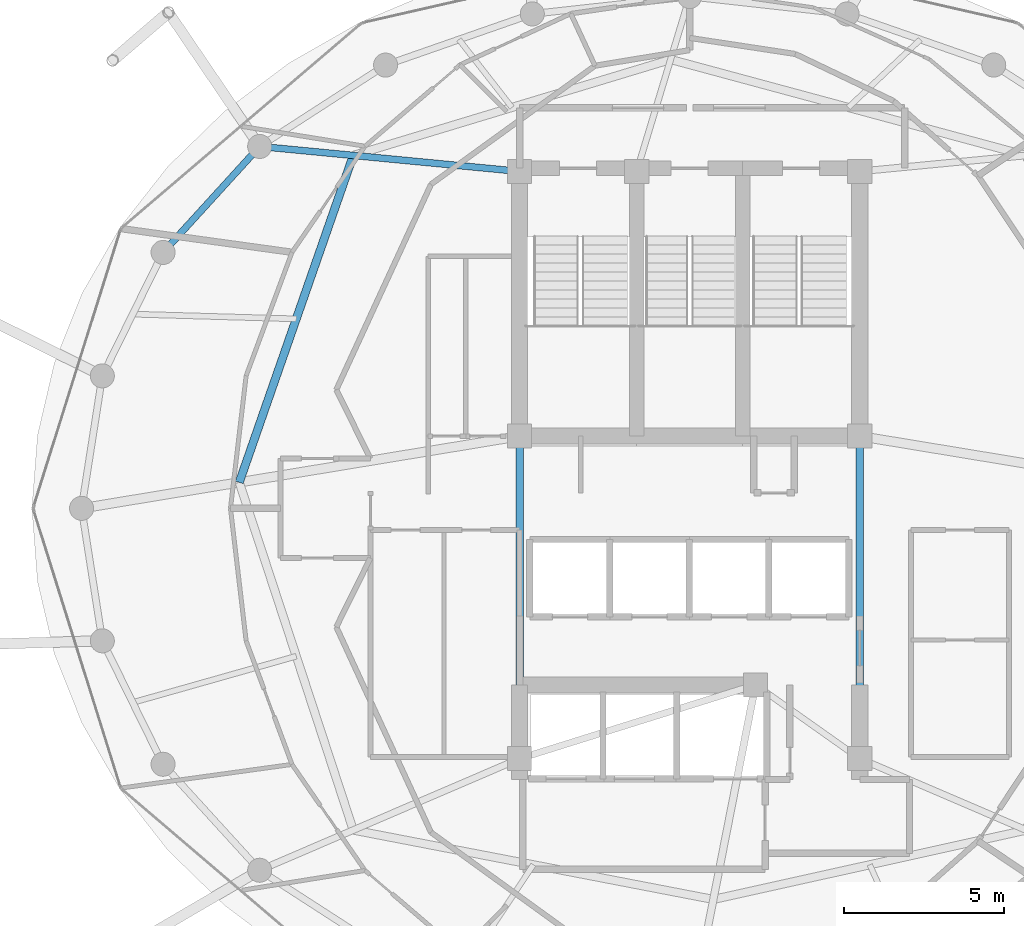
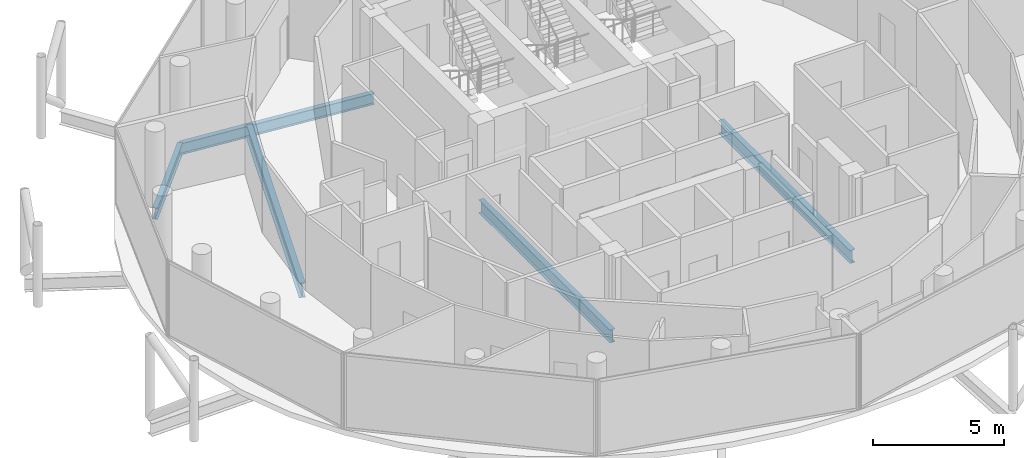
# One storey, part 8 of 24: 5 beams.
"""IFC4 building model written with IfcOpenShell, lengths in metres."""

from ifc_helpers import new_model, si_unit, direction, frame, origin, origin_2d, place, context, subcontext, project, spatial, i_section, extrude, material, material_profile, profile_set, type_object, element, save


model = new_model("IFC4")

# Units and contexts
model_context = context("Model", 3, precision=1e-05, world=origin(), true_north=direction((0.0, 1.0)))
body_context = subcontext(model_context, "Body", "Model", "MODEL_VIEW")
ifc_project = project(units=[si_unit("LENGTHUNIT", "METRE"), si_unit("AREAUNIT", "SQUARE_METRE"), si_unit("VOLUMEUNIT", "CUBIC_METRE"), si_unit("PLANEANGLEUNIT", "RADIAN"), si_unit("MASSUNIT", "GRAM", prefix="KILO")], contexts=[model_context])

# Site, building, storey
site_placement = place(None, origin())
site = spatial("IfcSite", under=ifc_project, at=site_placement, CompositionType="ELEMENT")
building_placement = place(site_placement, origin())
building = spatial("IfcBuilding", under=site, at=building_placement, Name="Nuhasar Tower", CompositionType="ELEMENT")
storey_placement = place(building_placement, frame((0.0, 0.0, 270.800048828125)))
storey = spatial("IfcBuildingStorey", under=building, at=storey_placement, Name="L67", CompositionType="ELEMENT", Elevation=270.800048828125)

# Beams
ifc_material = material(Name="Steel S355", Category="steel")
ifc_material_profile_1 = material_profile(ifc_material, i_section(OverallWidth=0.25390625, OverallDepth=0.68408203125, WebThickness=0.012451171875, FlangeThickness=0.018798828125, at=origin_2d()), Name="W27X94")
ifc_profile_set_1 = profile_set([ifc_material_profile_1], Name="Steel S355")
beam_type_1 = type_object("IfcBeamType", Name="BM-INRING-W27X94", PredefinedType="BEAM", material=ifc_profile_set_1)
beam_1_placement = place(storey_placement, frame((28.51611328125, 37.798095703125, -0.60205078125), z_axis=(-0.329211236979, -0.944256300718, 0.0), x_axis=(0.944256300718, -0.329211236979, 0.0)))
element("IfcBeam", 1, at=beam_1_placement, inside=storey, type_object=beam_type_1, Name="L67 Inner Header Beam 07", PredefinedType="BEAM", context=body_context, shape_type="SweptSolid", body=[
    extrude(i_section(OverallWidth=0.25390625, OverallDepth=0.68408203125, WebThickness=0.012451171875, FlangeThickness=0.018798828125, at=origin_2d()), origin(), (0.0, 0.0, 1.0), 10.78955078125),
])
ifc_material_profile_2 = material_profile(ifc_material, i_section(OverallWidth=0.208984375, OverallDepth=0.528076171875, WebThickness=0.009521484375, FlangeThickness=0.01318359375, at=origin_2d()), Name="W21X55")
ifc_profile_set_2 = profile_set([ifc_material_profile_2], Name="Steel S355")
beam_type_2 = type_object("IfcBeamType", Name="BM-RAD-W21X55", PredefinedType="BEAM", material=ifc_profile_set_2)
beam_2_placement = place(storey_placement, frame((33.699951171875, 37.300048828125, -0.524169921875), z_axis=(-0.99542073054, 0.095590633496, 0.0), x_axis=(-0.095590633496, -0.99542073054, 0.0)))
element("IfcBeam", 2, at=beam_2_placement, inside=storey, type_object=beam_type_2, Name="L67 Radial Floor Girder 07", PredefinedType="BEAM", context=body_context, shape_type="SweptSolid", body=[
    extrude(i_section(OverallWidth=0.208984375, OverallDepth=0.528076171875, WebThickness=0.009521484375, FlangeThickness=0.01318359375, at=origin_2d()), origin(), (0.0, 0.0, 1.0), 8.13720703125),
])
ifc_material_profile_3 = material_profile(ifc_material, i_section(OverallWidth=0.22900390625, OverallDepth=0.612060546875, WebThickness=0.011962890625, FlangeThickness=0.01953125, at=origin_2d()), Name="W24X84")
ifc_profile_set_3 = profile_set([ifc_material_profile_3], Name="Steel S355")
beam_type_3 = type_object("IfcBeamType", Name="BM-RAD-W24X84", PredefinedType="BEAM", material=ifc_profile_set_3)
for number, where, z_axis, x_axis, name in (
    (3, (44.300048828125, 19.0, -0.566162109375), (0.0, 1.0, 0.0), (-1.0, 0.0, 0.0), "L67 Core Ring Girder 3"),
    (4, (33.699951171875, 29.050048828125, -0.566162109375), (0.0, -1.0, 0.0), (1.0, 0.0, 0.0), "L67 Core Ring Girder 8"),
):
    element("IfcBeam", number, at=place(storey_placement, frame(where, z_axis=z_axis, x_axis=x_axis)), inside=storey, type_object=beam_type_3, Name=name, PredefinedType="BEAM", context=body_context, shape_type="SweptSolid", body=[
        extrude(i_section(OverallWidth=0.22900390625, OverallDepth=0.612060546875, WebThickness=0.011962890625, FlangeThickness=0.01953125, at=origin_2d()), origin(), (0.0, 0.0, 1.0), 10.050048828125),
    ])
ifc_material_profile_4 = material_profile(ifc_material, i_section(OverallWidth=0.2099609375, OverallDepth=0.537109375, WebThickness=0.010986328125, FlangeThickness=0.017333984375, at=origin_2d()), Name="W21X68")
ifc_profile_set_4 = profile_set([ifc_material_profile_4], Name="Steel S355")
beam_type_4 = type_object("IfcBeamType", Name="BM-RING-W21X68", PredefinedType="SPANDREL", material=ifc_profile_set_4)
beam_3_placement = place(storey_placement, frame((25.60009765625, 38.077880859375, -0.528076171875), z_axis=(-0.673686302939, -0.739017432293, 0.0), x_axis=(0.739017432293, -0.673686302939, 0.0)))
element("IfcBeam", 5, at=beam_3_placement, inside=storey, type_object=beam_type_4, Name="L67 Perimeter Ring Spandrel 10", PredefinedType="SPANDREL", context=body_context, shape_type="SweptSolid", body=[
    extrude(i_section(OverallWidth=0.2099609375, OverallDepth=0.537109375, WebThickness=0.010986328125, FlangeThickness=0.017333984375, at=origin_2d()), origin(), (0.0, 0.0, 1.0), 4.469482421875),
])

save(model, "model.ifc")
